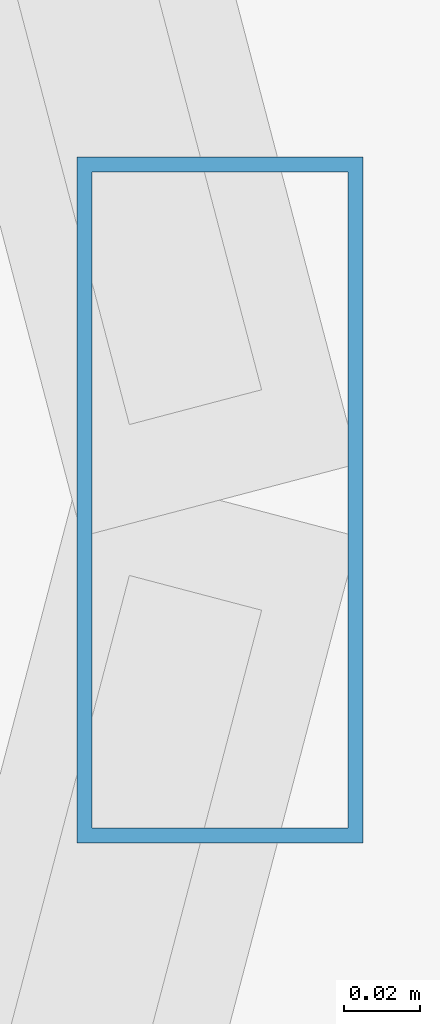
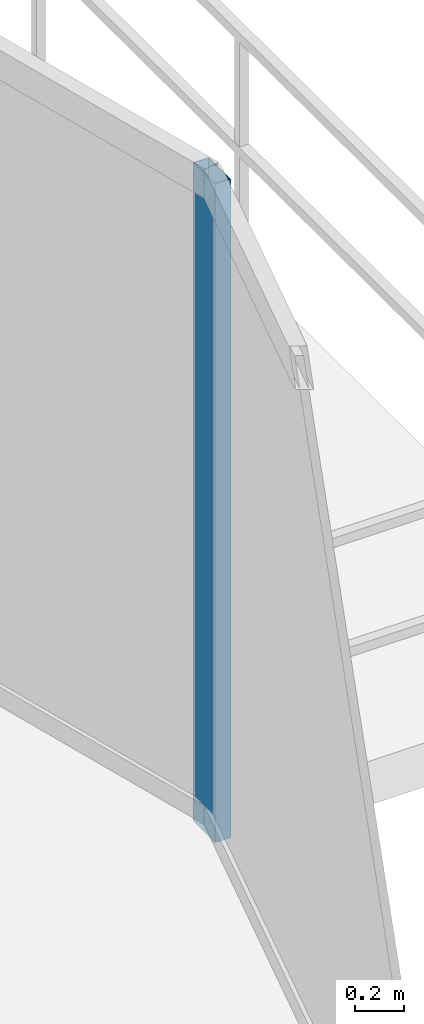
# One storey, part 13 of 30: 1 member, 1 element without a shape of its own.
"""IFC4 building model written with IfcOpenShell, lengths in metres."""

from ifc_helpers import new_model, si_unit, direction, frame, origin, origin_2d, place, context, subcontext, project, spatial, hollow_rectangle, extrude, material, material_profile, profile_set, type_object, element, aggregate, save


model = new_model("IFC4")

# Units and contexts
model_context = context("Model", 3, precision=1e-05, world=origin(), true_north=direction((0.0, 1.0)))
body_context = subcontext(model_context, "Body", "Model", "MODEL_VIEW")
ifc_project = project(units=[si_unit("LENGTHUNIT", "METRE"), si_unit("AREAUNIT", "SQUARE_METRE"), si_unit("VOLUMEUNIT", "CUBIC_METRE"), si_unit("PLANEANGLEUNIT", "RADIAN"), si_unit("MASSUNIT", "GRAM", prefix="KILO")], contexts=[model_context])

# Site, building, storey
site_placement = place(None, origin())
site = spatial("IfcSite", under=ifc_project, at=site_placement, CompositionType="ELEMENT")
building_placement = place(site_placement, origin())
building = spatial("IfcBuilding", under=site, at=building_placement, Name="Vorneva Point Tower", CompositionType="ELEMENT")
storey_placement = place(building_placement, frame((0.0, 0.0, 55.5)))
storey = spatial("IfcBuildingStorey", under=building, at=storey_placement, Name="L14", CompositionType="ELEMENT", Elevation=55.5)

# Curtain wall, member
ifc_material = material(Name="Pale anodised aluminium", Category="aluminium")
curtain_wall_type = type_object("IfcCurtainWallType", Name="CW-HTL-SYS", PredefinedType="NOTDEFINED", material=ifc_material)
curtain_wall_placement = place(storey_placement, origin())
curtain_wall = element("IfcCurtainWall", 1, at=curtain_wall_placement, inside=storey, type_object=curtain_wall_type, Name="L14 Unitised Curtain Wall CW-L14-R01", PredefinedType="NOTDEFINED")
ifc_material_profile = material_profile(ifc_material, hollow_rectangle(XDim=0.074951171875, YDim=0.179931640625, WallThickness=0.00390625, at=origin_2d()), Name="AL-MUL 180x75x4")
ifc_profile_set = profile_set([ifc_material_profile], Name="Pale anodised aluminium")
member_type = type_object("IfcMemberType", Name="CW-MUL-180", PredefinedType="MULLION", material=ifc_profile_set)
member_placement = place(storey_placement, frame((67.550048828125, 26.0, -0.0400390625), z_axis=(0.0, 0.0, 1.0), x_axis=(1.0, 0.0, 0.0)))
member = element("IfcMember", 2, at=member_placement, type_object=member_type, Name="CW-L14-R01 Mullion 03", PredefinedType="MULLION", context=body_context, shape_type="SweptSolid", body=[
    extrude(hollow_rectangle(XDim=0.074951171875, YDim=0.179931640625, WallThickness=0.00390625, at=origin_2d()), origin(), (0.0, 0.0, 1.0), 3.31005859375),
])
aggregate(curtain_wall, [member])

save(model, "model.ifc")
